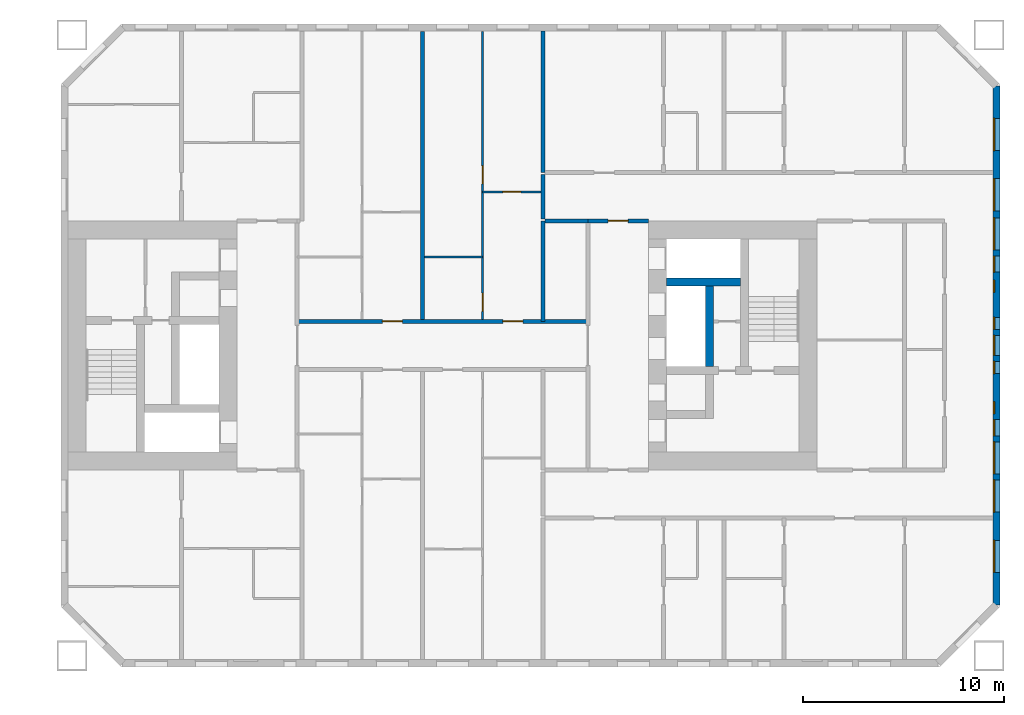
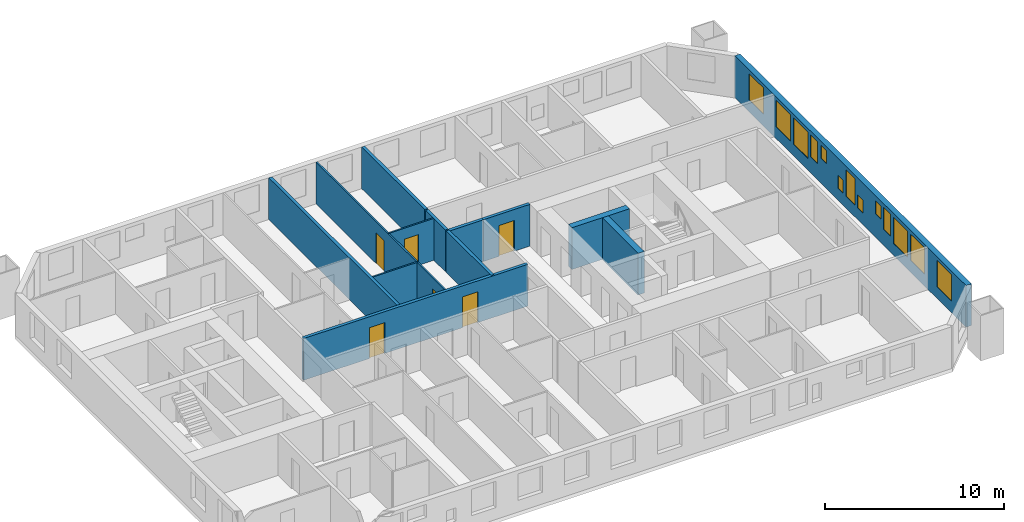
# One storey, part 13 of 17: 13 walls, 13 windows, 6 doors, 19 openings.
"""IFC4 building model written with IfcOpenShell, lengths in metres."""

from ifc_helpers import new_model, si_unit, direction, frame, frame_2d, origin, place, context, subcontext, project, spatial, rectangle, extrude, material, layer, layer_set, type_object, element, fill, save


model = new_model("IFC4")

# Units and contexts
model_context = context("Model", 3, precision=1e-05, world=origin(), true_north=direction((0.0, 1.0)))
body_context = subcontext(model_context, "Body", "Model", "MODEL_VIEW")
ifc_project = project(units=[si_unit("LENGTHUNIT", "METRE"), si_unit("AREAUNIT", "SQUARE_METRE"), si_unit("VOLUMEUNIT", "CUBIC_METRE"), si_unit("PLANEANGLEUNIT", "RADIAN"), si_unit("MASSUNIT", "GRAM", prefix="KILO")], contexts=[model_context])

# Site, building, storey
site_placement = place(None, origin())
site = spatial("IfcSite", under=ifc_project, at=site_placement, CompositionType="ELEMENT")
building_placement = place(site_placement, origin())
building = spatial("IfcBuilding", under=site, at=building_placement, Name="Tuart Gate Housing", CompositionType="ELEMENT")
storey_placement = place(building_placement, frame((0.0, 0.0, 25.699951171875)))
storey = spatial("IfcBuildingStorey", under=building, at=storey_placement, Name="L06", CompositionType="ELEMENT", Elevation=25.699951171875)

# Wall, openings, windows
ifc_material_1 = material(Name="Brick", Category="masonry")
ifc_layer_1 = layer(ifc_material_1, 0.360107421875)
ifc_layer_set_1 = layer_set([ifc_layer_1], Name="Brick pier and spandrel wall 360")
wall_type_1 = type_object("IfcWallType", Name="Brick pier and spandrel wall 360", PredefinedType="STANDARD", material=ifc_layer_set_1)
wall_1_placement = place(storey_placement, frame((177.570068359375, 57.07470703125, 0.0), z_axis=(0.0, 0.0, 1.0), x_axis=(0.0, 1.0, 0.0)))
wall_1 = element("IfcWall", 1, at=wall_1_placement, inside=storey, type_object=wall_type_1, Name="External wall B-E L06", PredefinedType="STANDARD", context=body_context, shape_type="SweptSolid", body=[
    extrude(rectangle(XDim=25.850830078125, YDim=0.360107421875, at=frame_2d((12.92529296875, 0.0))), origin(), (0.0, 0.0, 1.0), 2.85009765625),
])
opening_1_placement = place(wall_1_placement, frame((1.62548828125, 0.0, 0.800048828125)))
opening_1 = element("IfcOpeningElement", 2, at=opening_1_placement, cuts=wall_1, Name="Opening W1", PredefinedType="OPENING", context=body_context, shape_type="SweptSolid", body=[
    extrude(rectangle(XDim=1.60009765625, YDim=1.800048828125, at=frame_2d((0.800048828125, 0.89990234375))), frame((0.0, 0.18994140625, 0.0), z_axis=(0.0, -1.0, 0.0), x_axis=(1.0, 0.0, 0.0)), (0.0, 0.0, 1.0), 0.380126953125),
])
opening_2_placement = place(wall_1_placement, frame((4.62548828125, 0.0, 0.800048828125)))
opening_2 = element("IfcOpeningElement", 3, at=opening_2_placement, cuts=wall_1, Name="Opening W1", PredefinedType="OPENING", context=body_context, shape_type="SweptSolid", body=[
    extrude(rectangle(XDim=1.60009765625, YDim=1.800048828125, at=frame_2d((0.800048828125, 0.89990234375))), frame((0.0, 0.18994140625, 0.0), z_axis=(0.0, -1.0, 0.0), x_axis=(1.0, 0.0, 0.0)), (0.0, 0.0, 1.0), 0.380126953125),
])
opening_3_placement = place(wall_1_placement, frame((6.525390625, 0.0, 0.800048828125)))
opening_3 = element("IfcOpeningElement", 4, at=opening_3_placement, cuts=wall_1, Name="Opening W1", PredefinedType="OPENING", context=body_context, shape_type="SweptSolid", body=[
    extrude(rectangle(XDim=1.60009765625, YDim=1.800048828125, at=frame_2d((0.800048828125, 0.89990234375))), frame((0.0, 0.18994140625, 0.0), z_axis=(0.0, -1.0, 0.0), x_axis=(1.0, 0.0, 0.0)), (0.0, 0.0, 1.0), 0.380126953125),
])
opening_4_placement = place(wall_1_placement, frame((8.42529296875, 0.0, 1.10009765625)))
opening_4 = element("IfcOpeningElement", 5, at=opening_4_placement, cuts=wall_1, Name="Opening W1J", PredefinedType="OPENING", context=body_context, shape_type="SweptSolid", body=[
    extrude(rectangle(XDim=0.800048828125, YDim=1.5, at=frame_2d((0.39990234375, 0.75))), frame((0.0, 0.18994140625, 0.0), z_axis=(0.0, -1.0, 0.0), x_axis=(1.0, 0.0, 0.0)), (0.0, 0.0, 1.0), 0.380126953125),
])
opening_5_placement = place(wall_1_placement, frame((9.525390625, 0.0, 1.60009765625)))
opening_5 = element("IfcOpeningElement", 6, at=opening_5_placement, cuts=wall_1, Name="Opening W1W", PredefinedType="OPENING", context=body_context, shape_type="SweptSolid", body=[
    extrude(rectangle(XDim=0.60009765625, YDim=0.89990234375, at=frame_2d((0.300048828125, 0.449951171875))), frame((0.0, 0.18994140625, 0.0), z_axis=(0.0, -1.0, 0.0), x_axis=(1.0, 0.0, 0.0)), (0.0, 0.0, 1.0), 0.380126953125),
])
opening_6_placement = place(wall_1_placement, frame((11.525390625, 0.0, 0.800048828125)))
opening_6 = element("IfcOpeningElement", 7, at=opening_6_placement, cuts=wall_1, Name="Opening W1W", PredefinedType="OPENING", context=body_context, shape_type="SweptSolid", body=[
    extrude(rectangle(XDim=0.60009765625, YDim=0.89990234375, at=frame_2d((0.300048828125, 0.449951171875))), frame((0.0, 0.18994140625, 0.0), z_axis=(0.0, -1.0, 0.0), x_axis=(1.0, 0.0, 0.0)), (0.0, 0.0, 1.0), 0.380126953125),
])
opening_7_placement = place(wall_1_placement, frame((19.62548828125, 0.0, 0.800048828125)))
opening_7 = element("IfcOpeningElement", 8, at=opening_7_placement, cuts=wall_1, Name="Opening W1", PredefinedType="OPENING", context=body_context, shape_type="SweptSolid", body=[
    extrude(rectangle(XDim=1.60009765625, YDim=1.800048828125, at=frame_2d((0.800048828125, 0.89990234375))), frame((0.0, 0.18994140625, 0.0), z_axis=(0.0, -1.0, 0.0), x_axis=(1.0, 0.0, 0.0)), (0.0, 0.0, 1.0), 0.380126953125),
])
opening_8_placement = place(wall_1_placement, frame((22.62548828125, 0.0, 0.800048828125)))
opening_8 = element("IfcOpeningElement", 9, at=opening_8_placement, cuts=wall_1, Name="Opening W1", PredefinedType="OPENING", context=body_context, shape_type="SweptSolid", body=[
    extrude(rectangle(XDim=1.60009765625, YDim=1.800048828125, at=frame_2d((0.800048828125, 0.89990234375))), frame((0.0, 0.18994140625, 0.0), z_axis=(0.0, -1.0, 0.0), x_axis=(1.0, 0.0, 0.0)), (0.0, 0.0, 1.0), 0.380126953125),
])
opening_9_placement = place(wall_1_placement, frame((12.42529296875, 0.0, 0.800048828125)))
opening_9 = element("IfcOpeningElement", 10, at=opening_9_placement, cuts=wall_1, Name="Opening W1C", PredefinedType="OPENING", context=body_context, shape_type="SweptSolid", body=[
    extrude(rectangle(XDim=1.0, YDim=1.800048828125, at=frame_2d((0.5, 0.89990234375))), frame((0.0, 0.18994140625, 0.0), z_axis=(0.0, -1.0, 0.0), x_axis=(1.0, 0.0, 0.0)), (0.0, 0.0, 1.0), 0.380126953125),
])
opening_10_placement = place(wall_1_placement, frame((13.725341796875, 0.0, 0.800048828125)))
opening_10 = element("IfcOpeningElement", 11, at=opening_10_placement, cuts=wall_1, Name="Opening W1W", PredefinedType="OPENING", context=body_context, shape_type="SweptSolid", body=[
    extrude(rectangle(XDim=0.60009765625, YDim=0.89990234375, at=frame_2d((0.300048828125, 0.449951171875))), frame((0.0, 0.18994140625, 0.0), z_axis=(0.0, -1.0, 0.0), x_axis=(1.0, 0.0, 0.0)), (0.0, 0.0, 1.0), 0.380126953125),
])
opening_11_placement = place(wall_1_placement, frame((15.575439453125, 0.0, 1.699951171875)))
opening_11 = element("IfcOpeningElement", 12, at=opening_11_placement, cuts=wall_1, Name="Opening W1W", PredefinedType="OPENING", context=body_context, shape_type="SweptSolid", body=[
    extrude(rectangle(XDim=0.60009765625, YDim=0.89990234375, at=frame_2d((0.300048828125, 0.449951171875))), frame((0.0, 0.18994140625, 0.0), z_axis=(0.0, -1.0, 0.0), x_axis=(1.0, 0.0, 0.0)), (0.0, 0.0, 1.0), 0.380126953125),
])
opening_12_placement = place(wall_1_placement, frame((16.575439453125, 0.0, 1.10009765625)))
opening_12 = element("IfcOpeningElement", 13, at=opening_12_placement, cuts=wall_1, Name="Opening W1J", PredefinedType="OPENING", context=body_context, shape_type="SweptSolid", body=[
    extrude(rectangle(XDim=0.800048828125, YDim=1.5, at=frame_2d((0.39990234375, 0.75))), frame((0.0, 0.18994140625, 0.0), z_axis=(0.0, -1.0, 0.0), x_axis=(1.0, 0.0, 0.0)), (0.0, 0.0, 1.0), 0.380126953125),
])
opening_13_placement = place(wall_1_placement, frame((17.67529296875, 0.0, 0.800048828125)))
opening_13 = element("IfcOpeningElement", 14, at=opening_13_placement, cuts=wall_1, Name="Opening W1", PredefinedType="OPENING", context=body_context, shape_type="SweptSolid", body=[
    extrude(rectangle(XDim=1.60009765625, YDim=1.800048828125, at=frame_2d((0.800048828125, 0.89990234375))), frame((0.0, 0.18994140625, 0.0), z_axis=(0.0, -1.0, 0.0), x_axis=(1.0, 0.0, 0.0)), (0.0, 0.0, 1.0), 0.380126953125),
])
ifc_material_2 = material(Name="Aluminium frame with clear glass", Category="aluminium")
window_type_1 = type_object("IfcWindowType", Name="Punched window 1000 x 1800", PartitioningType="SINGLE_PANEL", PredefinedType="WINDOW", material=ifc_material_2)
window_1_placement = place(opening_9_placement, origin())
window_1 = element("IfcWindow", 15, at=window_1_placement, inside=storey, type_object=window_type_1, Name="Window W1C", OverallHeight=1.800048828125, OverallWidth=1.0, PartitioningType="SINGLE_PANEL", PredefinedType="WINDOW", context=body_context, shape_type="SweptSolid", body=[
    extrude(rectangle(XDim=1.0, YDim=1.800048828125, at=frame_2d((0.5, 0.89990234375))), frame((0.0, 0.150146484375, 0.0), z_axis=(0.0, -1.0, 0.0), x_axis=(1.0, 0.0, 0.0)), (0.0, 0.0, 1.0), 0.06005859375),
])
fill(opening_9, window_1)
ifc_material_3 = material(Name="Aluminium frame with clear glass", Category="aluminium")
window_type_2 = type_object("IfcWindowType", Name="Punched window 1600 x 1800", PartitioningType="SINGLE_PANEL", PredefinedType="WINDOW", material=ifc_material_3)
window_2_placement = place(opening_1_placement, origin())
window_2 = element("IfcWindow", 16, at=window_2_placement, inside=storey, type_object=window_type_2, Name="Window W1", OverallHeight=1.800048828125, OverallWidth=1.60009765625, PartitioningType="SINGLE_PANEL", PredefinedType="WINDOW", context=body_context, shape_type="SweptSolid", body=[
    extrude(rectangle(XDim=1.60009765625, YDim=1.800048828125, at=frame_2d((0.800048828125, 0.89990234375))), frame((0.0, 0.150146484375, 0.0), z_axis=(0.0, -1.0, 0.0), x_axis=(1.0, 0.0, 0.0)), (0.0, 0.0, 1.0), 0.06005859375),
])
fill(opening_1, window_2)
window_3_placement = place(opening_2_placement, origin())
window_3 = element("IfcWindow", 17, at=window_3_placement, inside=storey, type_object=window_type_2, Name="Window W1", OverallHeight=1.800048828125, OverallWidth=1.60009765625, PartitioningType="SINGLE_PANEL", PredefinedType="WINDOW", context=body_context, shape_type="SweptSolid", body=[
    extrude(rectangle(XDim=1.60009765625, YDim=1.800048828125, at=frame_2d((0.800048828125, 0.89990234375))), frame((0.0, 0.150146484375, 0.0), z_axis=(0.0, -1.0, 0.0), x_axis=(1.0, 0.0, 0.0)), (0.0, 0.0, 1.0), 0.06005859375),
])
fill(opening_2, window_3)
window_4_placement = place(opening_3_placement, origin())
window_4 = element("IfcWindow", 18, at=window_4_placement, inside=storey, type_object=window_type_2, Name="Window W1", OverallHeight=1.800048828125, OverallWidth=1.60009765625, PartitioningType="SINGLE_PANEL", PredefinedType="WINDOW", context=body_context, shape_type="SweptSolid", body=[
    extrude(rectangle(XDim=1.60009765625, YDim=1.800048828125, at=frame_2d((0.800048828125, 0.89990234375))), frame((0.0, 0.150146484375, 0.0), z_axis=(0.0, -1.0, 0.0), x_axis=(1.0, 0.0, 0.0)), (0.0, 0.0, 1.0), 0.06005859375),
])
fill(opening_3, window_4)
window_5_placement = place(opening_7_placement, origin())
window_5 = element("IfcWindow", 19, at=window_5_placement, inside=storey, type_object=window_type_2, Name="Window W1", OverallHeight=1.800048828125, OverallWidth=1.60009765625, PartitioningType="SINGLE_PANEL", PredefinedType="WINDOW", context=body_context, shape_type="SweptSolid", body=[
    extrude(rectangle(XDim=1.60009765625, YDim=1.800048828125, at=frame_2d((0.800048828125, 0.89990234375))), frame((0.0, 0.150146484375, 0.0), z_axis=(0.0, -1.0, 0.0), x_axis=(1.0, 0.0, 0.0)), (0.0, 0.0, 1.0), 0.06005859375),
])
fill(opening_7, window_5)
window_6_placement = place(opening_8_placement, origin())
window_6 = element("IfcWindow", 20, at=window_6_placement, inside=storey, type_object=window_type_2, Name="Window W1", OverallHeight=1.800048828125, OverallWidth=1.60009765625, PartitioningType="SINGLE_PANEL", PredefinedType="WINDOW", context=body_context, shape_type="SweptSolid", body=[
    extrude(rectangle(XDim=1.60009765625, YDim=1.800048828125, at=frame_2d((0.800048828125, 0.89990234375))), frame((0.0, 0.150146484375, 0.0), z_axis=(0.0, -1.0, 0.0), x_axis=(1.0, 0.0, 0.0)), (0.0, 0.0, 1.0), 0.06005859375),
])
fill(opening_8, window_6)
window_7_placement = place(opening_13_placement, origin())
window_7 = element("IfcWindow", 21, at=window_7_placement, inside=storey, type_object=window_type_2, Name="Window W1", OverallHeight=1.800048828125, OverallWidth=1.60009765625, PartitioningType="SINGLE_PANEL", PredefinedType="WINDOW", context=body_context, shape_type="SweptSolid", body=[
    extrude(rectangle(XDim=1.60009765625, YDim=1.800048828125, at=frame_2d((0.800048828125, 0.89990234375))), frame((0.0, 0.150146484375, 0.0), z_axis=(0.0, -1.0, 0.0), x_axis=(1.0, 0.0, 0.0)), (0.0, 0.0, 1.0), 0.06005859375),
])
fill(opening_13, window_7)
ifc_material_4 = material(Name="Aluminium frame with clear glass", Category="aluminium")
window_type_3 = type_object("IfcWindowType", Name="Punched window 600 x 900", PartitioningType="SINGLE_PANEL", PredefinedType="WINDOW", material=ifc_material_4)
window_8_placement = place(opening_5_placement, origin())
window_8 = element("IfcWindow", 22, at=window_8_placement, inside=storey, type_object=window_type_3, Name="Window W1W", OverallHeight=0.89990234375, OverallWidth=0.60009765625, PartitioningType="SINGLE_PANEL", PredefinedType="WINDOW", context=body_context, shape_type="SweptSolid", body=[
    extrude(rectangle(XDim=0.60009765625, YDim=0.89990234375, at=frame_2d((0.300048828125, 0.449951171875))), frame((0.0, 0.150146484375, 0.0), z_axis=(0.0, -1.0, 0.0), x_axis=(1.0, 0.0, 0.0)), (0.0, 0.0, 1.0), 0.06005859375),
])
fill(opening_5, window_8)
window_9_placement = place(opening_6_placement, origin())
window_9 = element("IfcWindow", 23, at=window_9_placement, inside=storey, type_object=window_type_3, Name="Window W1W", OverallHeight=0.89990234375, OverallWidth=0.60009765625, PartitioningType="SINGLE_PANEL", PredefinedType="WINDOW", context=body_context, shape_type="SweptSolid", body=[
    extrude(rectangle(XDim=0.60009765625, YDim=0.89990234375, at=frame_2d((0.300048828125, 0.449951171875))), frame((0.0, 0.150146484375, 0.0), z_axis=(0.0, -1.0, 0.0), x_axis=(1.0, 0.0, 0.0)), (0.0, 0.0, 1.0), 0.06005859375),
])
fill(opening_6, window_9)
window_10_placement = place(opening_10_placement, origin())
window_10 = element("IfcWindow", 24, at=window_10_placement, inside=storey, type_object=window_type_3, Name="Window W1W", OverallHeight=0.89990234375, OverallWidth=0.60009765625, PartitioningType="SINGLE_PANEL", PredefinedType="WINDOW", context=body_context, shape_type="SweptSolid", body=[
    extrude(rectangle(XDim=0.60009765625, YDim=0.89990234375, at=frame_2d((0.300048828125, 0.449951171875))), frame((0.0, 0.150146484375, 0.0), z_axis=(0.0, -1.0, 0.0), x_axis=(1.0, 0.0, 0.0)), (0.0, 0.0, 1.0), 0.06005859375),
])
fill(opening_10, window_10)
window_11_placement = place(opening_11_placement, origin())
window_11 = element("IfcWindow", 25, at=window_11_placement, inside=storey, type_object=window_type_3, Name="Window W1W", OverallHeight=0.89990234375, OverallWidth=0.60009765625, PartitioningType="SINGLE_PANEL", PredefinedType="WINDOW", context=body_context, shape_type="SweptSolid", body=[
    extrude(rectangle(XDim=0.60009765625, YDim=0.89990234375, at=frame_2d((0.300048828125, 0.449951171875))), frame((0.0, 0.150146484375, 0.0), z_axis=(0.0, -1.0, 0.0), x_axis=(1.0, 0.0, 0.0)), (0.0, 0.0, 1.0), 0.06005859375),
])
fill(opening_11, window_11)
ifc_material_5 = material(Name="Aluminium frame with clear glass", Category="aluminium")
window_type_4 = type_object("IfcWindowType", Name="Punched window 800 x 1500", PartitioningType="SINGLE_PANEL", PredefinedType="WINDOW", material=ifc_material_5)
window_12_placement = place(opening_4_placement, origin())
window_12 = element("IfcWindow", 26, at=window_12_placement, inside=storey, type_object=window_type_4, Name="Window W1J", OverallHeight=1.5, OverallWidth=0.800048828125, PartitioningType="SINGLE_PANEL", PredefinedType="WINDOW", context=body_context, shape_type="SweptSolid", body=[
    extrude(rectangle(XDim=0.800048828125, YDim=1.5, at=frame_2d((0.39990234375, 0.75))), frame((0.0, 0.150146484375, 0.0), z_axis=(0.0, -1.0, 0.0), x_axis=(1.0, 0.0, 0.0)), (0.0, 0.0, 1.0), 0.06005859375),
])
fill(opening_4, window_12)
window_13_placement = place(opening_12_placement, origin())
window_13 = element("IfcWindow", 27, at=window_13_placement, inside=storey, type_object=window_type_4, Name="Window W1J", OverallHeight=1.5, OverallWidth=0.800048828125, PartitioningType="SINGLE_PANEL", PredefinedType="WINDOW", context=body_context, shape_type="SweptSolid", body=[
    extrude(rectangle(XDim=0.800048828125, YDim=1.5, at=frame_2d((0.39990234375, 0.75))), frame((0.0, 0.150146484375, 0.0), z_axis=(0.0, -1.0, 0.0), x_axis=(1.0, 0.0, 0.0)), (0.0, 0.0, 1.0), 0.06005859375),
])
fill(opening_12, window_13)

# Walls
ifc_material_6 = material(Name="Concrete C60", Category="concrete")
ifc_layer_2 = layer(ifc_material_6, 0.39990234375)
ifc_layer_set_2 = layer_set([ifc_layer_2], Name="Core wall 400 C60")
wall_type_2 = type_object("IfcWallType", Name="Core wall 400 C60", PredefinedType="SHEAR", material=ifc_layer_set_2)
wall_2_placement = place(storey_placement, frame((161.139892578125, 73.14990234375, 0.0), z_axis=(0.0, 0.0, 1.0), x_axis=(1.0, 0.0, 0.0)))
element("IfcWall", 28, at=wall_2_placement, inside=storey, type_object=wall_type_2, Name="Core wall BK.1", PredefinedType="SHEAR", context=body_context, shape_type="SweptSolid", body=[
    extrude(rectangle(XDim=3.7001953125, YDim=0.39990234375, at=frame_2d((1.85009765625, 0.0))), origin(), (0.0, 0.0, 1.0), 2.85009765625),
])
wall_3_placement = place(storey_placement, frame((163.2900390625, 72.949951171875, 0.0), z_axis=(0.0, 0.0, 1.0), x_axis=(0.0, -1.0, 0.0)))
element("IfcWall", 29, at=wall_3_placement, inside=storey, type_object=wall_type_2, Name="Core wall BK.5", PredefinedType="SHEAR", context=body_context, shape_type="SweptSolid", body=[
    extrude(rectangle(XDim=4.0, YDim=0.39990234375, at=frame_2d((2.0, 0.0))), origin(), (0.0, 0.0, 1.0), 2.85009765625),
])

# Wall, openings, doors
ifc_material_7 = material(Name="Concrete masonry 15 MPa", Category="masonry")
ifc_layer_3 = layer(ifc_material_7, 0.199951171875)
ifc_layer_set_3 = layer_set([ifc_layer_3], Name="Corridor wall masonry 200")
wall_type_3 = type_object("IfcWallType", Name="Corridor wall masonry 200", PredefinedType="PARTITIONING", material=ifc_layer_set_3)
wall_4_placement = place(storey_placement, frame((142.760009765625, 71.199951171875, 0.0), z_axis=(0.0, 0.0, 1.0), x_axis=(1.0, 0.0, 0.0)))
wall_4 = element("IfcWall", 30, at=wall_4_placement, inside=storey, type_object=wall_type_3, Name="Corridor wall masonry 200", PredefinedType="PARTITIONING", context=body_context, shape_type="SweptSolid", body=[
    extrude(rectangle(XDim=14.47998046875, YDim=0.199951171875, at=frame_2d((7.239990234375, 0.0))), origin(), (0.0, 0.0, 1.0), 2.85009765625),
])
opening_14_placement = place(wall_4_placement, frame((4.239990234375, 0.0, 0.0)))
opening_14 = element("IfcOpeningElement", 31, at=opening_14_placement, cuts=wall_4, Name="Opening D432", PredefinedType="OPENING", context=body_context, shape_type="SweptSolid", body=[
    extrude(rectangle(XDim=1.0, YDim=2.10009765625, at=frame_2d((0.5, 1.050048828125))), frame((0.0, 0.10986328125, 0.0), z_axis=(0.0, -1.0, 0.0), x_axis=(1.0, 0.0, 0.0)), (0.0, 0.0, 1.0), 0.219970703125),
])
opening_15_placement = place(wall_4_placement, frame((10.239990234375, 0.0, 0.0)))
opening_15 = element("IfcOpeningElement", 32, at=opening_15_placement, cuts=wall_4, Name="Opening D433", PredefinedType="OPENING", context=body_context, shape_type="SweptSolid", body=[
    extrude(rectangle(XDim=1.0, YDim=2.10009765625, at=frame_2d((0.5, 1.050048828125))), frame((0.0, 0.10986328125, 0.0), z_axis=(0.0, -1.0, 0.0), x_axis=(1.0, 0.0, 0.0)), (0.0, 0.0, 1.0), 0.219970703125),
])
ifc_material_8 = material(Name="Timber door leaf in steel frame", Category="steel")
door_type_1 = type_object("IfcDoorType", Name="Flat entrance door 1000", OperationType="SINGLE_SWING_LEFT", PredefinedType="DOOR", material=ifc_material_8)
door_1_placement = place(opening_14_placement, origin())
door_1 = element("IfcDoor", 33, at=door_1_placement, inside=storey, type_object=door_type_1, Name="Flat entrance door", OperationType="SINGLE_SWING_LEFT", OverallHeight=2.10009765625, OverallWidth=1.0, PredefinedType="DOOR", context=body_context, shape_type="SweptSolid", body=[
    extrude(rectangle(XDim=1.0, YDim=2.10009765625, at=frame_2d((0.5, 1.050048828125))), frame((0.0, 0.02490234375, 0.0), z_axis=(0.0, -1.0, 0.0), x_axis=(1.0, 0.0, 0.0)), (0.0, 0.0, 1.0), 0.050048828125),
])
fill(opening_14, door_1)
door_2_placement = place(opening_15_placement, origin())
door_2 = element("IfcDoor", 34, at=door_2_placement, inside=storey, type_object=door_type_1, Name="Flat entrance door", OperationType="SINGLE_SWING_LEFT", OverallHeight=2.10009765625, OverallWidth=1.0, PredefinedType="DOOR", context=body_context, shape_type="SweptSolid", body=[
    extrude(rectangle(XDim=1.0, YDim=2.10009765625, at=frame_2d((0.5, 1.050048828125))), frame((0.0, 0.02490234375, 0.0), z_axis=(0.0, -1.0, 0.0), x_axis=(1.0, 0.0, 0.0)), (0.0, 0.0, 1.0), 0.050048828125),
])
fill(opening_15, door_2)

# Walls
wall_5_placement = place(storey_placement, frame((155.10009765625, 76.199951171875, 0.0), z_axis=(0.0, 0.0, 1.0), x_axis=(1.0, 0.0, 0.0)))
element("IfcWall", 35, at=wall_5_placement, inside=storey, type_object=wall_type_3, Name="Corridor wall masonry 200", PredefinedType="PARTITIONING", context=body_context, shape_type="SweptSolid", body=[
    extrude(rectangle(XDim=2.139892578125, YDim=0.199951171875, at=frame_2d((1.06982421875, 0.0))), origin(), (0.0, 0.0, 1.0), 2.85009765625),
])
wall_6_placement = place(storey_placement, frame((155.0, 76.300048828125, 0.0), z_axis=(0.0, 0.0, 1.0), x_axis=(0.0, 1.0, 0.0)))
element("IfcWall", 36, at=wall_6_placement, inside=storey, type_object=wall_type_3, Name="Corridor wall masonry 200", PredefinedType="PARTITIONING", context=body_context, shape_type="SweptSolid", body=[
    extrude(rectangle(XDim=2.199951171875, YDim=0.199951171875, at=frame_2d((1.10009765625, 0.0))), origin(), (0.0, 0.0, 1.0), 2.85009765625),
])

# Wall, opening, door
ifc_material_9 = material(Name="Concrete masonry 15 MPa", Category="masonry")
ifc_layer_4 = layer(ifc_material_9, 0.199951171875)
ifc_layer_set_4 = layer_set([ifc_layer_4], Name="Enclosure wall masonry 200")
wall_type_4 = type_object("IfcWallType", Name="Enclosure wall masonry 200", PredefinedType="PARTITIONING", material=ifc_layer_set_4)
wall_7_placement = place(storey_placement, frame((157.239990234375, 76.199951171875, 0.0), z_axis=(0.0, 0.0, 1.0), x_axis=(1.0, 0.0, 0.0)))
wall_7 = element("IfcWall", 37, at=wall_7_placement, inside=storey, type_object=wall_type_4, Name="Enclosure wall masonry 200", PredefinedType="PARTITIONING", context=body_context, shape_type="SweptSolid", body=[
    extrude(rectangle(XDim=3.0, YDim=0.199951171875, at=frame_2d((1.5, 0.0))), origin(), (0.0, 0.0, 1.0), 2.85009765625),
])
opening_16_placement = place(wall_7_placement, frame((1.0, 0.0, 0.0)))
opening_16 = element("IfcOpeningElement", 38, at=opening_16_placement, cuts=wall_7, Name="Opening D427", PredefinedType="OPENING", context=body_context, shape_type="SweptSolid", body=[
    extrude(rectangle(XDim=1.0, YDim=2.10009765625, at=frame_2d((0.5, 1.050048828125))), frame((0.0, 0.10986328125, 0.0), z_axis=(0.0, -1.0, 0.0), x_axis=(1.0, 0.0, 0.0)), (0.0, 0.0, 1.0), 0.219970703125),
])
ifc_material_10 = material(Name="Timber door leaf in steel frame", Category="steel")
door_type_2 = type_object("IfcDoorType", Name="Fire door 1000", OperationType="SINGLE_SWING_LEFT", PredefinedType="DOOR", material=ifc_material_10)
door_3_placement = place(opening_16_placement, origin())
door_3 = element("IfcDoor", 39, at=door_3_placement, inside=storey, type_object=door_type_2, Name="Fire door", OperationType="SINGLE_SWING_LEFT", OverallHeight=2.10009765625, OverallWidth=1.0, PredefinedType="DOOR", context=body_context, shape_type="SweptSolid", body=[
    extrude(rectangle(XDim=1.0, YDim=2.10009765625, at=frame_2d((0.5, 1.050048828125))), frame((0.0, 0.02490234375, 0.0), z_axis=(0.0, -1.0, 0.0), x_axis=(1.0, 0.0, 0.0)), (0.0, 0.0, 1.0), 0.050048828125),
])
fill(opening_16, door_3)

# Wall
ifc_material_11 = material(Name="Gypsum board on steel studs", Category="steel")
ifc_layer_5 = layer(ifc_material_11, 0.10009765625)
ifc_layer_set_5 = layer_set([ifc_layer_5], Name="Partition 100")
wall_type_5 = type_object("IfcWallType", Name="Partition 100", PredefinedType="PARTITIONING", material=ifc_layer_set_5)
wall_8_placement = place(storey_placement, frame((149.10009765625, 74.39990234375, 0.0), z_axis=(0.0, 0.0, 1.0), x_axis=(1.0, 0.0, 0.0)))
element("IfcWall", 40, at=wall_8_placement, inside=storey, type_object=wall_type_5, Name="Partition 100", PredefinedType="PARTITIONING", context=body_context, shape_type="SweptSolid", body=[
    extrude(rectangle(XDim=2.89990234375, YDim=0.10009765625, at=frame_2d((1.449951171875, 0.0))), origin(), (0.0, 0.0, 1.0), 2.85009765625),
])

# Wall, opening, door
wall_9_placement = place(storey_placement, frame((152.0, 77.639892578125, 0.0), z_axis=(0.0, 0.0, 1.0), x_axis=(1.0, 0.0, 0.0)))
wall_9 = element("IfcWall", 41, at=wall_9_placement, inside=storey, type_object=wall_type_5, Name="Partition 100", PredefinedType="PARTITIONING", context=body_context, shape_type="SweptSolid", body=[
    extrude(rectangle(XDim=2.89990234375, YDim=0.10009765625, at=frame_2d((1.449951171875, 0.0))), origin(), (0.0, 0.0, 1.0), 2.85009765625),
])
opening_17_placement = place(wall_9_placement, frame((1.0, 0.0, 0.0)))
opening_17 = element("IfcOpeningElement", 42, at=opening_17_placement, cuts=wall_9, Name="Opening D424", PredefinedType="OPENING", context=body_context, shape_type="SweptSolid", body=[
    extrude(rectangle(XDim=0.89990234375, YDim=2.10009765625, at=frame_2d((0.449951171875, 1.050048828125))), frame((0.0, 0.06005859375, 0.0), z_axis=(0.0, -1.0, 0.0), x_axis=(1.0, 0.0, 0.0)), (0.0, 0.0, 1.0), 0.1201171875),
])
ifc_material_12 = material(Name="Timber door leaf in steel frame", Category="steel")
door_type_3 = type_object("IfcDoorType", Name="Internal door 900 RH", OperationType="SINGLE_SWING_RIGHT", PredefinedType="DOOR", material=ifc_material_12)
door_4_placement = place(opening_17_placement, frame((0.89990234375, 0.0, 0.0), z_axis=(0.0, 0.0, 1.0), x_axis=(-1.0, 0.0, 0.0)))
door_4 = element("IfcDoor", 43, at=door_4_placement, inside=storey, type_object=door_type_3, Name="Internal door", OperationType="SINGLE_SWING_RIGHT", OverallHeight=2.10009765625, OverallWidth=0.89990234375, PredefinedType="DOOR", context=body_context, shape_type="SweptSolid", body=[
    extrude(rectangle(XDim=0.89990234375, YDim=2.10009765625, at=frame_2d((0.449951171875, 1.050048828125))), frame((0.0, 0.025146484375, 0.0), z_axis=(0.0, -1.0, 0.0), x_axis=(1.0, 0.0, 0.0)), (0.0, 0.0, 1.0), 0.050048828125),
])
fill(opening_17, door_4)

# Wall, openings, doors
wall_10_placement = place(storey_placement, frame((152.0, 71.300048828125, 0.0), z_axis=(0.0, 0.0, 1.0), x_axis=(0.0, 1.0, 0.0)))
wall_10 = element("IfcWall", 44, at=wall_10_placement, inside=storey, type_object=wall_type_5, Name="Partition 100", PredefinedType="PARTITIONING", context=body_context, shape_type="SweptSolid", body=[
    extrude(rectangle(XDim=14.33984375, YDim=0.10009765625, at=frame_2d((7.169921875, 0.0))), origin(), (0.0, 0.0, 1.0), 2.85009765625),
])
opening_18_placement = place(wall_10_placement, frame((6.739990234375, 0.0, 0.0)))
opening_18 = element("IfcOpeningElement", 45, at=opening_18_placement, cuts=wall_10, Name="Opening D423", PredefinedType="OPENING", context=body_context, shape_type="SweptSolid", body=[
    extrude(rectangle(XDim=0.89990234375, YDim=2.10009765625, at=frame_2d((0.449951171875, 1.050048828125))), frame((0.0, 0.06005859375, 0.0), z_axis=(0.0, -1.0, 0.0), x_axis=(1.0, 0.0, 0.0)), (0.0, 0.0, 1.0), 0.1201171875),
])
opening_19_placement = place(wall_10_placement, frame((0.39990234375, 0.0, 0.0)))
opening_19 = element("IfcOpeningElement", 46, at=opening_19_placement, cuts=wall_10, Name="Opening D422", PredefinedType="OPENING", context=body_context, shape_type="SweptSolid", body=[
    extrude(rectangle(XDim=0.89990234375, YDim=2.10009765625, at=frame_2d((0.449951171875, 1.050048828125))), frame((0.0, 0.06005859375, 0.0), z_axis=(0.0, -1.0, 0.0), x_axis=(1.0, 0.0, 0.0)), (0.0, 0.0, 1.0), 0.1201171875),
])
ifc_material_13 = material(Name="Timber door leaf in steel frame", Category="steel")
door_type_4 = type_object("IfcDoorType", Name="Bathroom door 900", OperationType="SINGLE_SWING_LEFT", PredefinedType="DOOR", material=ifc_material_13)
door_5_placement = place(opening_19_placement, origin())
door_5 = element("IfcDoor", 47, at=door_5_placement, inside=storey, type_object=door_type_4, Name="Bathroom door", OperationType="SINGLE_SWING_LEFT", OverallHeight=2.10009765625, OverallWidth=0.89990234375, PredefinedType="DOOR", context=body_context, shape_type="SweptSolid", body=[
    extrude(rectangle(XDim=0.89990234375, YDim=2.10009765625, at=frame_2d((0.449951171875, 1.050048828125))), frame((0.0, 0.02490234375, 0.0), z_axis=(0.0, -1.0, 0.0), x_axis=(1.0, 0.0, 0.0)), (0.0, 0.0, 1.0), 0.050048828125),
])
fill(opening_19, door_5)
ifc_material_14 = material(Name="Timber door leaf in steel frame", Category="steel")
door_type_5 = type_object("IfcDoorType", Name="Internal door 900", OperationType="SINGLE_SWING_LEFT", PredefinedType="DOOR", material=ifc_material_14)
door_6_placement = place(opening_18_placement, origin())
door_6 = element("IfcDoor", 48, at=door_6_placement, inside=storey, type_object=door_type_5, Name="Internal door", OperationType="SINGLE_SWING_LEFT", OverallHeight=2.10009765625, OverallWidth=0.89990234375, PredefinedType="DOOR", context=body_context, shape_type="SweptSolid", body=[
    extrude(rectangle(XDim=0.89990234375, YDim=2.10009765625, at=frame_2d((0.449951171875, 1.050048828125))), frame((0.0, 0.02490234375, 0.0), z_axis=(0.0, -1.0, 0.0), x_axis=(1.0, 0.0, 0.0)), (0.0, 0.0, 1.0), 0.050048828125),
])
fill(opening_18, door_6)

# Walls
ifc_material_15 = material(Name="Concrete C40", Category="concrete")
ifc_layer_6 = layer(ifc_material_15, 0.199951171875)
ifc_layer_set_6 = layer_set([ifc_layer_6], Name="Party wall concrete C40 200")
wall_type_6 = type_object("IfcWallType", Name="Party wall concrete C40 200", PredefinedType="SOLIDWALL", material=ifc_layer_set_6)
wall_11_placement = place(storey_placement, frame((149.0, 71.199951171875, 0.0), z_axis=(0.0, 0.0, 1.0), x_axis=(0.0, 1.0, 0.0)))
element("IfcWall", 49, at=wall_11_placement, inside=storey, type_object=wall_type_6, Name="Party wall concrete C40 200", PredefinedType="SOLIDWALL", context=body_context, shape_type="SweptSolid", body=[
    extrude(rectangle(XDim=14.43994140625, YDim=0.199951171875, at=frame_2d((7.219970703125, 0.0))), origin(), (0.0, 0.0, 1.0), 2.85009765625),
])
wall_12_placement = place(storey_placement, frame((155.0, 71.199951171875, 0.0), z_axis=(0.0, 0.0, 1.0), x_axis=(0.0, 1.0, 0.0)))
element("IfcWall", 50, at=wall_12_placement, inside=storey, type_object=wall_type_6, Name="Party wall concrete C40 200", PredefinedType="SOLIDWALL", context=body_context, shape_type="SweptSolid", body=[
    extrude(rectangle(XDim=5.0, YDim=0.199951171875, at=frame_2d((2.5, 0.0))), origin(), (0.0, 0.0, 1.0), 2.85009765625),
])
wall_13_placement = place(storey_placement, frame((155.0, 78.60009765625, 0.0), z_axis=(0.0, 0.0, 1.0), x_axis=(0.0, 1.0, 0.0)))
element("IfcWall", 51, at=wall_13_placement, inside=storey, type_object=wall_type_6, Name="Party wall concrete C40 200", PredefinedType="SOLIDWALL", context=body_context, shape_type="SweptSolid", body=[
    extrude(rectangle(XDim=7.039794921875, YDim=0.199951171875, at=frame_2d((3.52001953125, 0.0))), origin(), (0.0, 0.0, 1.0), 2.85009765625),
])

save(model, "model.ifc")
